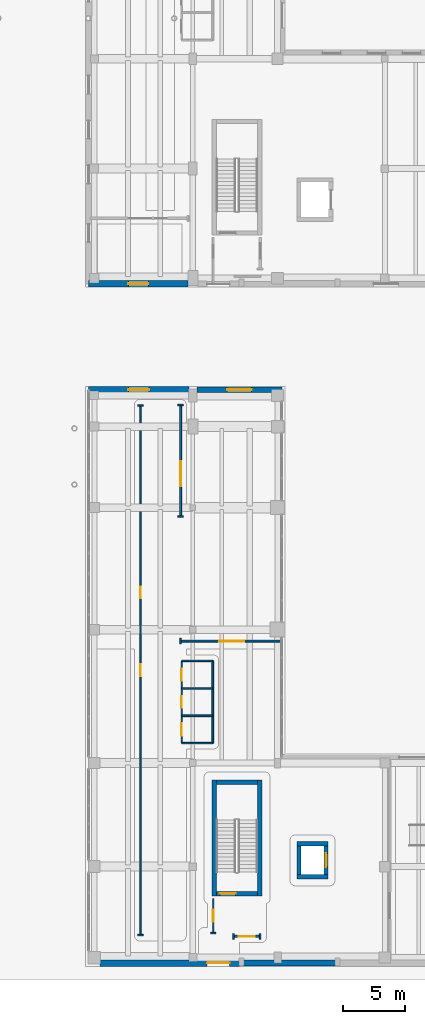
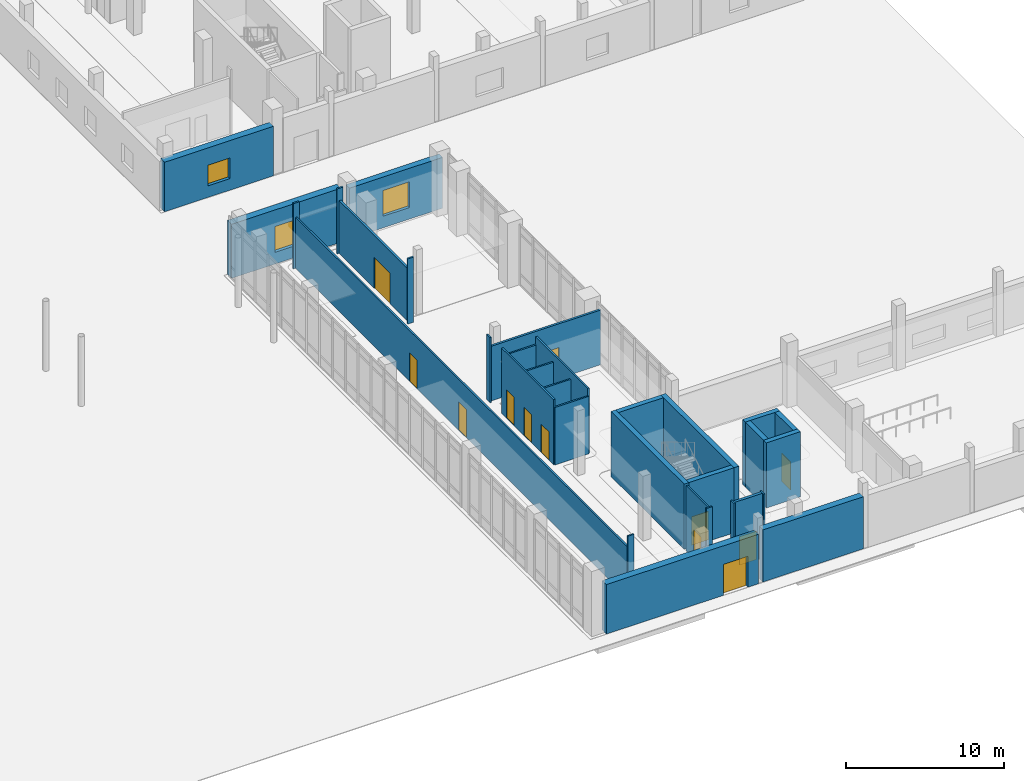
# One storey, part 46 of 74: 32 walls, 12 doors, 3 windows, 15 openings.
"""IFC4 building model written with IfcOpenShell, lengths in metres."""

import ifcopenshell
import ifcopenshell.guid

model = None  # the IFC model being written
_history = None  # IfcOwnerHistory: only IFC2X3 demands one
_inside = {}  # id of a spatial element -> (the spatial element, [elements in it])
_under = {}  # id of a project, library or spatial element -> (it, [spatial elements below it])
_declared = {}  # id of a project -> (the project, [libraries it declares])
_typed = {}  # id of a type object -> (the type object, [elements of that type])
_made_of = {}  # id of a material, layer set ... -> (it, [elements and type objects made of it])


def new_model(schema):
    """Start an empty IFC model of exactly this schema.

    Asked for "IFC4X3", IfcOpenShell would pick the latest addendum, in which some entities
    have other attributes; the version numbers below select the first issue.
    IFC2X3 requires an IfcOwnerHistory on every rooted entity: one is made here for all.
    """
    global model, _history
    if schema == "IFC4X3":
        model = ifcopenshell.file(schema_version=(4, 3, 0, 0))
    else:
        model = ifcopenshell.file(schema=schema)
    _inside.clear()
    _under.clear()
    _declared.clear()
    _typed.clear()
    _made_of.clear()
    _history = None
    if model.schema == "IFC2X3":
        org = make("IfcOrganization", Name="unknown")
        user = make(
            "IfcPersonAndOrganization",
            ThePerson=make("IfcPerson", FamilyName="unknown"),
            TheOrganization=org,
        )
        app = make(
            "IfcApplication",
            ApplicationDeveloper=org,
            Version="unknown",
            ApplicationFullName="unknown",
            ApplicationIdentifier="unknown",
        )
        _history = make(
            "IfcOwnerHistory",
            OwningUser=user,
            OwningApplication=app,
            ChangeAction="ADDED",
            CreationDate=0,
        )
    return model


def make(cls, **values):
    """One entity of the class cls with the attributes given. An attribute that is None is left unset."""
    return model.create_entity(
        cls, **{name: value for name, value in values.items() if value is not None}
    )


def rooted(cls, **values):
    """An entity with a GlobalId (a new one), such as an element, a storey or a relation."""
    return make(cls, GlobalId=ifcopenshell.guid.new(), OwnerHistory=_history, **values)


def si_unit(unit_type, name, prefix=None):
    """IfcSIUnit, for example si_unit("LENGTHUNIT", "METRE", prefix="MILLI")."""
    return make("IfcSIUnit", UnitType=unit_type, Prefix=prefix, Name=name)


def assignment(units):
    """IfcUnitAssignment: the units of a project."""
    return None if units is None else make("IfcUnitAssignment", Units=units)


def point(xyz):
    """IfcCartesianPoint."""
    return None if xyz is None else make("IfcCartesianPoint", Coordinates=xyz)


def direction(xyz):
    """IfcDirection."""
    return None if xyz is None else make("IfcDirection", DirectionRatios=xyz)


def frame(location, z_axis=None, x_axis=None):
    """IfcAxis2Placement3D, a coordinate frame: its origin and axes. An axis left out is left unset."""
    return make(
        "IfcAxis2Placement3D",
        Location=point(location),
        Axis=direction(z_axis),
        RefDirection=direction(x_axis),
    )


def frame_2d(location, x_axis=None):
    """IfcAxis2Placement2D, a coordinate frame in the plane: its origin and x axis."""
    return make(
        "IfcAxis2Placement2D", Location=point(location), RefDirection=direction(x_axis)
    )


def origin():
    """The frame at (0, 0, 0) with its axes left unset."""
    return frame((0.0, 0.0, 0.0))


def place(relative_to, where):
    """IfcLocalPlacement: puts the frame where relative to a parent placement (None: the world)."""
    return make(
        "IfcLocalPlacement", PlacementRelTo=relative_to, RelativePlacement=where
    )


def context(
    kind, dimensions, precision=None, world=None, true_north=None, identifier=None
):
    """IfcGeometricRepresentationContext, for example the 3D "Model" context."""
    return make(
        "IfcGeometricRepresentationContext",
        ContextIdentifier=identifier,
        ContextType=kind,
        CoordinateSpaceDimension=dimensions,
        Precision=precision,
        WorldCoordinateSystem=world,
        TrueNorth=true_north,
    )


def subcontext(parent, identifier, kind, view, scale=None):
    """IfcGeometricRepresentationSubContext, for example "Body" below "Model"."""
    return make(
        "IfcGeometricRepresentationSubContext",
        ContextIdentifier=identifier,
        ContextType=kind,
        ParentContext=parent,
        TargetScale=scale,
        TargetView=view,
    )


def project(units=None, contexts=None):
    """IfcProject with its units and contexts."""
    return rooted(
        "IfcProject",
        Name="project",
        RepresentationContexts=contexts,
        UnitsInContext=assignment(units),
    )


def spatial(cls, under=None, at=None, **own):
    """A site, building, storey or space (cls), placed at a placement, below another one or the project."""
    s = rooted(cls, ObjectPlacement=at, **own)
    if under is not None:
        _under.setdefault(under.id(), (under, []))[1].append(s)
    return s


def profile(cls, at=None, kind="AREA", **sizes):
    """A parametric profile (cls). Its sizes go by their IFC names, for example OverallWidth=200.0."""
    return make(cls, ProfileType=kind, Position=at, **sizes)


def rectangle(**sizes):
    """IfcRectangleProfileDef."""
    return profile("IfcRectangleProfileDef", **sizes)


def extrude(swept, where, along, depth):
    """IfcExtrudedAreaSolid: the profile swept, set in the frame where, extruded along a direction by depth."""
    return make(
        "IfcExtrudedAreaSolid",
        SweptArea=swept,
        Position=where,
        ExtrudedDirection=direction(along),
        Depth=depth,
    )


def shape(context_of_items, identifier, shape_type, items):
    """IfcShapeRepresentation: the items that make up one representation, for example the "Body"."""
    return make(
        "IfcShapeRepresentation",
        ContextOfItems=context_of_items,
        RepresentationIdentifier=identifier,
        RepresentationType=shape_type,
        Items=items,
    )


def material(Name=None, Category=None):
    """IfcMaterial."""
    return make("IfcMaterial", Name=Name, Category=Category)


def layer(
    of_material, thickness, ventilated=None, Name=None, Category=None, Priority=None
):
    """IfcMaterialLayer: one layer of a wall or slab, of a material (None: an air gap)."""
    return make(
        "IfcMaterialLayer",
        Material=of_material,
        LayerThickness=thickness,
        IsVentilated=ventilated,
        Name=Name,
        Category=Category,
        Priority=Priority,
    )


def layer_set(layers, Name=None):
    """IfcMaterialLayerSet."""
    return make("IfcMaterialLayerSet", MaterialLayers=layers, LayerSetName=Name)


def made_of(thing, what):
    """Note that an element or type object is made of a material, layer set ...; save() writes the relation."""
    if what is not None:
        _made_of.setdefault(what.id(), (what, []))[1].append(thing)
    return thing


def type_object(cls, material=None, **own):
    """A type object (cls), such as IfcWallType, which elements share."""
    return made_of(rooted(cls, **own), material)


def element(
    cls,
    number,
    at=None,
    inside=None,
    cuts=None,
    type_object=None,
    material=None,
    context=None,
    identifier="Body",
    shape_type=None,
    held_by="IfcProductDefinitionShape",
    body=None,
    shapes=None,
    **own,
):
    """One element of the class cls, such as IfcWall. Its Tag is "e" and its number.

    at: its placement. inside: the storey or other place that contains it. cuts: it is an
    opening in that element (IfcRelVoidsElement). A single representation is given by context,
    identifier, shape_type and body (its items); several are given by shapes. held_by: the class
    of the entity that holds the representations. save() writes the other relations.
    """
    e = rooted(cls, Tag="e%d" % number, ObjectPlacement=at, **own)
    if body is not None:
        shapes = [shape(context, identifier, shape_type, body)]
    if shapes is not None:
        e.Representation = make(held_by, Representations=shapes)
    if inside is not None:
        _inside.setdefault(inside.id(), (inside, []))[1].append(e)
    if cuts is not None:
        rooted(
            "IfcRelVoidsElement", RelatingBuildingElement=cuts, RelatedOpeningElement=e
        )
    if type_object is not None:
        _typed.setdefault(type_object.id(), (type_object, []))[1].append(e)
    return made_of(e, material)


def fill(opening, filler):
    """IfcRelFillsElement: the door or window that sits in an opening."""
    return rooted(
        "IfcRelFillsElement",
        RelatingOpeningElement=opening,
        RelatedBuildingElement=filler,
    )


def aggregate(whole, parts):
    """IfcRelAggregates: a whole, such as a stair, and the parts it consists of."""
    return rooted("IfcRelAggregates", RelatingObject=whole, RelatedObjects=parts)


def save(model, path):
    """Write the relations noted so far, then the file.

    IfcRelAggregates (storeys below a building ...), IfcRelContainedInSpatialStructure (elements
    in a storey), IfcRelDefinesByType, IfcRelAssociatesMaterial and IfcRelDeclares: one each for
    every whole, place, type object, material and project.
    """
    for whole, parts in _under.values():
        aggregate(whole, parts)
    for where, things in _inside.values():
        rooted(
            "IfcRelContainedInSpatialStructure",
            RelatedElements=things,
            RelatingStructure=where,
        )
    for kind, things in _typed.values():
        rooted("IfcRelDefinesByType", RelatedObjects=things, RelatingType=kind)
    for what, things in _made_of.values():
        rooted("IfcRelAssociatesMaterial", RelatedObjects=things, RelatingMaterial=what)
    for by, libraries in _declared.values():
        rooted("IfcRelDeclares", RelatingContext=by, RelatedDefinitions=libraries)
    model.write(path)


model = new_model("IFC4")

# Units and contexts
model_context = context("Model", 3, precision=1e-05, world=origin(), true_north=direction((0.0, 1.0)))
body_context = subcontext(model_context, "Body", "Model", "MODEL_VIEW")
ifc_project = project(units=[si_unit("LENGTHUNIT", "METRE"), si_unit("AREAUNIT", "SQUARE_METRE"), si_unit("VOLUMEUNIT", "CUBIC_METRE"), si_unit("PLANEANGLEUNIT", "RADIAN"), si_unit("MASSUNIT", "GRAM", prefix="KILO")], contexts=[model_context])

# Site, building, storey
site_placement = place(None, origin())
site = spatial("IfcSite", under=ifc_project, at=site_placement, CompositionType="ELEMENT")
building_placement = place(site_placement, origin())
building = spatial("IfcBuilding", under=site, at=building_placement, Name="Soyqirgoq Riverine Aquarium", CompositionType="ELEMENT")
storey_placement = place(building_placement, origin())
storey = spatial("IfcBuildingStorey", under=building, at=storey_placement, Name="L01", CompositionType="ELEMENT", Elevation=0.0)

# Walls
ifc_material_1 = material(Name="Concrete C40/50", Category="concrete")
ifc_layer_1 = layer(ifc_material_1, 0.35009765625)
ifc_layer_set_1 = layer_set([ifc_layer_1], Name="Concrete C40/50")
wall_type_1 = type_object("IfcWallType", Name="CoreShearWall_350_C40", PredefinedType="SHEAR", material=ifc_layer_set_1)
wall_1_placement = place(storey_placement, frame((127.97509765625, 7.14990234375, 0.0), z_axis=(0.0, 0.0, 1.0), x_axis=(0.0, 1.0, 0.0)))
element("IfcWall", 1, at=wall_1_placement, inside=storey, type_object=wall_type_1, Name="CORE-6 L01 Stair Core Shear Wall SIDE1", PredefinedType="SHEAR", context=body_context, shape_type="SweptSolid", body=[
    extrude(rectangle(XDim=9.300048828125, YDim=0.35009765625, at=frame_2d((4.64990234375, 0.0))), origin(), (0.0, 0.0, 1.0), 5.050048828125),
])
wall_2_placement = place(storey_placement, frame((127.800048828125, 16.27490234375, 0.0), z_axis=(0.0, 0.0, 1.0), x_axis=(-1.0, 0.0, 0.0)))
element("IfcWall", 2, at=wall_2_placement, inside=storey, type_object=wall_type_1, Name="CORE-6 L01 Stair Core Shear Wall BACK", PredefinedType="SHEAR", context=body_context, shape_type="SweptSolid", body=[
    extrude(rectangle(XDim=3.300048828125, YDim=0.35009765625, at=frame_2d((1.64990234375, 0.0))), origin(), (0.0, 0.0, 1.0), 5.050048828125),
])
wall_3_placement = place(storey_placement, frame((124.324951171875, 16.449951171875, 0.0), z_axis=(0.0, 0.0, 1.0), x_axis=(0.0, -1.0, 0.0)))
element("IfcWall", 3, at=wall_3_placement, inside=storey, type_object=wall_type_1, Name="CORE-6 L01 Stair Core Shear Wall SIDE2", PredefinedType="SHEAR", context=body_context, shape_type="SweptSolid", body=[
    extrude(rectangle(XDim=9.300048828125, YDim=0.35009765625, at=frame_2d((4.64990234375, 0.0))), origin(), (0.0, 0.0, 1.0), 5.050048828125),
])

# Wall, opening, door
wall_4_placement = place(storey_placement, frame((124.5, 7.324951171875, 0.0), z_axis=(0.0, 0.0, 1.0), x_axis=(1.0, 0.0, 0.0)))
wall_4 = element("IfcWall", 4, at=wall_4_placement, inside=storey, type_object=wall_type_1, Name="CORE-6 L01 Stair Core Shear Wall FRONT", PredefinedType="SHEAR", context=body_context, shape_type="SweptSolid", body=[
    extrude(rectangle(XDim=3.300048828125, YDim=0.35009765625, at=frame_2d((1.64990234375, 0.0))), origin(), (0.0, 0.0, 1.0), 5.050048828125),
])
opening_1_placement = place(wall_4_placement, frame((0.280029296875, 0.0, 0.0)))
opening_1 = element("IfcOpeningElement", 5, at=opening_1_placement, cuts=wall_4, Name="Opening FD-01", PredefinedType="OPENING", context=body_context, shape_type="SweptSolid", body=[
    extrude(rectangle(XDim=1.25, YDim=2.199951171875, at=frame_2d((0.625, 1.10009765625))), frame((0.0, 0.18505859375, 0.0), z_axis=(0.0, -1.0, 0.0), x_axis=(1.0, 0.0, 0.0)), (0.0, 0.0, 1.0), 0.3701171875),
])
ifc_material_2 = material(Name="Galvanised steel fire-resisting stair door", Category="steel")
door_type_1 = type_object("IfcDoorType", Name="StairFireDoor_1250x2200_EI90", OperationType="NOTDEFINED", PredefinedType="DOOR", material=ifc_material_2)
door_1_placement = place(opening_1_placement, origin())
door_1 = element("IfcDoor", 6, at=door_1_placement, inside=storey, type_object=door_type_1, Name="DR-ST-7-L01 ST-7 L01 Fire-Rated Stairwell Door", OperationType="SINGLE_SWING_RIGHT", OverallHeight=2.199951171875, OverallWidth=1.25, PredefinedType="DOOR", context=body_context, shape_type="SweptSolid", body=[
    extrude(rectangle(XDim=1.25, YDim=2.199951171875, at=frame_2d((0.625, 1.10009765625))), frame((0.0, 0.02490234375, 0.0), z_axis=(0.0, -1.0, 0.0), x_axis=(1.0, 0.0, 0.0)), (0.0, 0.0, 1.0), 0.050048828125),
])
fill(opening_1, door_1)

# Wall
wall_5_placement = place(storey_placement, frame((130.945068359375, 8.669921875, 0.0), z_axis=(0.0, 0.0, 1.0), x_axis=(1.0, 0.0, 0.0)))
element("IfcWall", 7, at=wall_5_placement, inside=storey, type_object=wall_type_1, Name="Lift PL-4 Shaft Wall L01 1", PredefinedType="SHEAR", context=body_context, shape_type="SweptSolid", body=[
    extrude(rectangle(XDim=2.510009765625, YDim=0.35009765625, at=frame_2d((1.2548828125, 0.0))), origin(), (0.0, 0.0, 1.0), 5.050048828125),
])

# Wall, opening, door
wall_6_placement = place(storey_placement, frame((133.280029296875, 8.844970703125, 0.0), z_axis=(0.0, 0.0, 1.0), x_axis=(0.0, 1.0, 0.0)))
wall_6 = element("IfcWall", 8, at=wall_6_placement, inside=storey, type_object=wall_type_1, Name="Lift PL-4 Shaft Wall L01 2", PredefinedType="SHEAR", context=body_context, shape_type="SweptSolid", body=[
    extrude(rectangle(XDim=2.31005859375, YDim=0.35009765625, at=frame_2d((1.155029296875, 0.0))), origin(), (0.0, 0.0, 1.0), 5.050048828125),
])
opening_2_placement = place(wall_6_placement, frame((0.60498046875, 0.0, 0.0)))
opening_2 = element("IfcOpeningElement", 9, at=opening_2_placement, cuts=wall_6, Name="Opening LD-01", PredefinedType="OPENING", context=body_context, shape_type="SweptSolid", body=[
    extrude(rectangle(XDim=1.10009765625, YDim=2.199951171875, at=frame_2d((0.550048828125, 1.10009765625))), frame((0.0, 0.18505859375, 0.0), z_axis=(0.0, -1.0, 0.0), x_axis=(1.0, 0.0, 0.0)), (0.0, 0.0, 1.0), 0.3701171875),
])
ifc_material_3 = material(Name="Brushed stainless steel telescopic lift landing door", Category="steel")
door_type_2 = type_object("IfcDoorType", Name="LiftLandingDoor_1100x2200", OperationType="SLIDING_TO_LEFT", PredefinedType="DOOR", material=ifc_material_3)
door_2_placement = place(opening_2_placement, origin())
door_2 = element("IfcDoor", 10, at=door_2_placement, inside=storey, type_object=door_type_2, Name="LD-PL-4-L01 Lift PL-4 L01 Sliding Landing Door", OperationType="SLIDING_TO_LEFT", OverallHeight=2.199951171875, OverallWidth=1.10009765625, PredefinedType="DOOR", context=body_context, shape_type="SweptSolid", body=[
    extrude(rectangle(XDim=1.10009765625, YDim=2.199951171875, at=frame_2d((0.550048828125, 1.10009765625))), frame((0.0, 0.02490234375, 0.0), z_axis=(0.0, -1.0, 0.0), x_axis=(1.0, 0.0, 0.0)), (0.0, 0.0, 1.0), 0.050048828125),
])
fill(opening_2, door_2)

# Walls
wall_7_placement = place(storey_placement, frame((133.455078125, 11.330078125, 0.0), z_axis=(0.0, 0.0, 1.0), x_axis=(-1.0, 0.0, 0.0)))
element("IfcWall", 11, at=wall_7_placement, inside=storey, type_object=wall_type_1, Name="Lift PL-4 Shaft Wall L01 3", PredefinedType="SHEAR", context=body_context, shape_type="SweptSolid", body=[
    extrude(rectangle(XDim=2.510009765625, YDim=0.35009765625, at=frame_2d((1.2548828125, 0.0))), origin(), (0.0, 0.0, 1.0), 5.050048828125),
])
wall_8_placement = place(storey_placement, frame((131.1201171875, 11.155029296875, 0.0), z_axis=(0.0, 0.0, 1.0), x_axis=(0.0, -1.0, 0.0)))
element("IfcWall", 12, at=wall_8_placement, inside=storey, type_object=wall_type_1, Name="Lift PL-4 Shaft Wall L01 4", PredefinedType="SHEAR", context=body_context, shape_type="SweptSolid", body=[
    extrude(rectangle(XDim=2.31005859375, YDim=0.35009765625, at=frame_2d((1.155029296875, 0.0))), origin(), (0.0, 0.0, 1.0), 5.050048828125),
])

# Wall, openings, doors
ifc_material_4 = material(Name="Lightweight steel-stud gypsum partition", Category="steel")
ifc_layer_2 = layer(ifc_material_4, 0.1201171875)
ifc_layer_set_2 = layer_set([ifc_layer_2], Name="Lightweight steel-stud gypsum partition")
wall_type_2 = type_object("IfcWallType", Name="PartitionWall_120_Std", PredefinedType="PARTITIONING", material=ifc_layer_set_2)
wall_9_placement = place(storey_placement, frame((118.39990234375, 46.5, 0.0), z_axis=(0.0, 0.0, 1.0), x_axis=(0.0, -1.0, 0.0)))
wall_9 = element("IfcWall", 13, at=wall_9_placement, inside=storey, type_object=wall_type_2, Name="Education Foyer Corridor Partition Wall", PredefinedType="PARTITIONING", context=body_context, shape_type="SweptSolid", body=[
    extrude(rectangle(XDim=42.5, YDim=0.1201171875, at=frame_2d((21.25, 0.0))), origin(), (0.0, 0.0, 1.0), 3.93994140625),
])
opening_3_placement = place(wall_9_placement, frame((20.75, 0.0, 0.0)))
opening_3 = element("IfcOpeningElement", 14, at=opening_3_placement, cuts=wall_9, Name="Opening ID-03", PredefinedType="OPENING", context=body_context, shape_type="SweptSolid", body=[
    extrude(rectangle(XDim=1.0, YDim=2.199951171875, at=frame_2d((0.5, 1.10009765625))), frame((0.0, 0.070068359375, 0.0), z_axis=(0.0, -1.0, 0.0), x_axis=(1.0, 0.0, 0.0)), (0.0, 0.0, 1.0), 0.14013671875),
])
opening_4_placement = place(wall_9_placement, frame((14.54248046875, 0.0, 0.0)))
opening_4 = element("IfcOpeningElement", 15, at=opening_4_placement, cuts=wall_9, Name="Opening ID-06", PredefinedType="OPENING", context=body_context, shape_type="SweptSolid", body=[
    extrude(rectangle(XDim=0.949951171875, YDim=2.199951171875, at=frame_2d((0.47509765625, 1.10009765625))), frame((0.0, 0.070068359375, 0.0), z_axis=(0.0, -1.0, 0.0), x_axis=(1.0, 0.0, 0.0)), (0.0, 0.0, 1.0), 0.14013671875),
])
ifc_material_5 = material(Name="Solid-core ash veneer room door", Category="wood")
door_type_3 = type_object("IfcDoorType", Name="RoomDoor_1000x2200", OperationType="NOTDEFINED", PredefinedType="DOOR", material=ifc_material_5)
door_3_placement = place(opening_3_placement, origin())
door_3 = element("IfcDoor", 16, at=door_3_placement, inside=storey, type_object=door_type_3, Name="IDR-V6-L01-0183 Education Foyer Corridor Door", OperationType="SINGLE_SWING_LEFT", OverallHeight=2.199951171875, OverallWidth=1.0, PredefinedType="DOOR", context=body_context, shape_type="SweptSolid", body=[
    extrude(rectangle(XDim=1.0, YDim=2.199951171875, at=frame_2d((0.5, 1.10009765625))), frame((0.0, 0.02490234375, 0.0), z_axis=(0.0, -1.0, 0.0), x_axis=(1.0, 0.0, 0.0)), (0.0, 0.0, 1.0), 0.050048828125),
])
fill(opening_3, door_3)
ifc_material_6 = material(Name="Moisture-resistant HPL washroom door", Category="wood")
door_type_4 = type_object("IfcDoorType", Name="WCDoor_950x2200", OperationType="NOTDEFINED", PredefinedType="DOOR", material=ifc_material_6)
door_4_placement = place(opening_4_placement, origin())
door_4 = element("IfcDoor", 17, at=door_4_placement, inside=storey, type_object=door_type_4, Name="IDR-V6-L01-0187 School Group Orientation Hall Access Door", OperationType="SINGLE_SWING_LEFT", OverallHeight=2.199951171875, OverallWidth=0.949951171875, PredefinedType="DOOR", context=body_context, shape_type="SweptSolid", body=[
    extrude(rectangle(XDim=0.949951171875, YDim=2.199951171875, at=frame_2d((0.47509765625, 1.10009765625))), frame((0.0, 0.02490234375, 0.0), z_axis=(0.0, -1.0, 0.0), x_axis=(1.0, 0.0, 0.0)), (0.0, 0.0, 1.0), 0.050048828125),
])
fill(opening_4, door_4)

# Wall, opening, door
wall_10_placement = place(storey_placement, frame((124.239990234375, 4.159912109375, 0.0), z_axis=(0.0, 0.0, 1.0), x_axis=(0.0, 1.0, 0.0)))
wall_10 = element("IfcWall", 18, at=wall_10_placement, inside=storey, type_object=wall_type_2, Name="Audio-Visual Control Room Partition Wall", PredefinedType="PARTITIONING", context=body_context, shape_type="SweptSolid", body=[
    extrude(rectangle(XDim=2.7900390625, YDim=0.1201171875, at=frame_2d((1.39501953125, 0.0))), origin(), (0.0, 0.0, 1.0), 5.050048828125),
])
opening_5_placement = place(wall_10_placement, frame((0.89501953125, 0.0, 0.0)))
opening_5 = element("IfcOpeningElement", 19, at=opening_5_placement, cuts=wall_10, Name="Opening ID-03", PredefinedType="OPENING", context=body_context, shape_type="SweptSolid", body=[
    extrude(rectangle(XDim=1.0, YDim=2.199951171875, at=frame_2d((0.5, 1.10009765625))), frame((0.0, 0.070068359375, 0.0), z_axis=(0.0, -1.0, 0.0), x_axis=(1.0, 0.0, 0.0)), (0.0, 0.0, 1.0), 0.14013671875),
])
door_5_placement = place(opening_5_placement, origin())
door_5 = element("IfcDoor", 20, at=door_5_placement, inside=storey, type_object=door_type_3, Name="IDR-V6-L01-0186 Audio-Visual Control Room Door", OperationType="SINGLE_SWING_RIGHT", OverallHeight=2.199951171875, OverallWidth=1.0, PredefinedType="DOOR", context=body_context, shape_type="SweptSolid", body=[
    extrude(rectangle(XDim=1.0, YDim=2.199951171875, at=frame_2d((0.5, 1.10009765625))), frame((0.0, 0.02490234375, 0.0), z_axis=(0.0, -1.0, 0.0), x_axis=(1.0, 0.0, 0.0)), (0.0, 0.0, 1.0), 0.050048828125),
])
fill(opening_5, door_5)

# Walls
for number, where, z_axis, x_axis, name in (
    (21, (125.85009765625, 3.679931640625, 0.0), (0.0, 0.0, 1.0), (0.0, 1.0, 0.0), "V6 L01 Jamb Return Pier"),
    (22, (128.0, 3.679931640625, 0.0), (0.0, 0.0, 1.0), (0.0, 1.0, 0.0), "V6 L01 Jamb Return Pier"),
    (23, (118.179931640625, 46.5, 0.0), (0.0, 0.0, 1.0), (1.0, 0.0, 0.0), "V6 L01 Jamb Return Pier"),
    (24, (118.179931640625, 4.0, 0.0), (0.0, 0.0, 1.0), (1.0, 0.0, 0.0), "V6 L01 Jamb Return Pier"),
    (25, (121.409912109375, 46.530029296875, 0.0), (0.0, 0.0, 1.0), (1.0, 0.0, 0.0), "V6 L01 Jamb Return Pier"),
    (26, (121.409912109375, 37.580078125, 0.0), (0.0, 0.0, 1.0), (1.0, 0.0, 0.0), "V6 L01 Jamb Return Pier"),
):
    element("IfcWall", number, at=place(storey_placement, frame(where, z_axis=z_axis, x_axis=x_axis)), inside=storey, type_object=wall_type_2, Name=name, PredefinedType="PARTITIONING", context=body_context, shape_type="SweptSolid", body=[
        extrude(rectangle(XDim=0.440185546875, YDim=0.1201171875, at=frame_2d((0.22021484375, 0.0))), origin(), (0.0, 0.0, 1.0), 5.050048828125),
    ])
for number, where, z_axis, x_axis, name in (
    (27, (121.6298828125, 27.360107421875, 0.0), (0.0, 0.0, 1.0), (0.0, 1.0, 0.0), "V6 L01 Jamb Return Pier"),
    (28, (124.4599609375, 4.159912109375, 0.0), (0.0, 0.0, 1.0), (-1.0, 0.0, 0.0), "V6 L01 Jamb Return Pier"),
):
    element("IfcWall", number, at=place(storey_placement, frame(where, z_axis=z_axis, x_axis=x_axis)), inside=storey, type_object=wall_type_2, Name=name, PredefinedType="PARTITIONING", context=body_context, shape_type="SweptSolid", body=[
        extrude(rectangle(XDim=0.43994140625, YDim=0.1201171875, at=frame_2d((0.219970703125, 0.0))), origin(), (0.0, 0.0, 1.0), 5.050048828125),
    ])

# Wall, openings, doors
ifc_material_7 = material(Name="Moisture-resistant cement-board wet-room partition", Category="gypsum")
ifc_layer_3 = layer(ifc_material_7, 0.125)
ifc_layer_set_3 = layer_set([ifc_layer_3], Name="Moisture-resistant cement-board wet-room partition")
wall_type_3 = type_object("IfcWallType", Name="PartitionWall_125_Wet", PredefinedType="PARTITIONING", material=ifc_layer_set_3)
wall_11_placement = place(storey_placement, frame((121.699951171875, 19.39990234375, 0.0), z_axis=(0.0, 0.0, 1.0), x_axis=(0.0, 1.0, 0.0)))
wall_11 = element("IfcWall", 29, at=wall_11_placement, inside=storey, type_object=wall_type_3, Name="V6 L01 WC Suite Front Wall", PredefinedType="PARTITIONING", context=body_context, shape_type="SweptSolid", body=[
    extrude(rectangle(XDim=6.60009765625, YDim=0.125, at=frame_2d((3.300048828125, 0.0))), origin(), (0.0, 0.0, 1.0), 5.050048828125),
])
opening_6_placement = place(wall_11_placement, frame((0.60009765625, 0.0, 0.0)))
opening_6 = element("IfcOpeningElement", 30, at=opening_6_placement, cuts=wall_11, Name="Opening ID-05", PredefinedType="OPENING", context=body_context, shape_type="SweptSolid", body=[
    extrude(rectangle(XDim=1.0, YDim=2.199951171875, at=frame_2d((0.5, 1.10009765625))), frame((0.0, 0.072509765625, 0.0), z_axis=(0.0, -1.0, 0.0), x_axis=(1.0, 0.0, 0.0)), (0.0, 0.0, 1.0), 0.14501953125),
])
opening_7_placement = place(wall_11_placement, frame((2.824951171875, 0.0, 0.0)))
opening_7 = element("IfcOpeningElement", 31, at=opening_7_placement, cuts=wall_11, Name="Opening ID-06", PredefinedType="OPENING", context=body_context, shape_type="SweptSolid", body=[
    extrude(rectangle(XDim=0.949951171875, YDim=2.199951171875, at=frame_2d((0.47509765625, 1.10009765625))), frame((0.0, 0.072509765625, 0.0), z_axis=(0.0, -1.0, 0.0), x_axis=(1.0, 0.0, 0.0)), (0.0, 0.0, 1.0), 0.14501953125),
])
opening_8_placement = place(wall_11_placement, frame((5.02490234375, 0.0, 0.0)))
opening_8 = element("IfcOpeningElement", 32, at=opening_8_placement, cuts=wall_11, Name="Opening ID-06", PredefinedType="OPENING", context=body_context, shape_type="SweptSolid", body=[
    extrude(rectangle(XDim=0.949951171875, YDim=2.199951171875, at=frame_2d((0.47509765625, 1.10009765625))), frame((0.0, 0.072509765625, 0.0), z_axis=(0.0, -1.0, 0.0), x_axis=(1.0, 0.0, 0.0)), (0.0, 0.0, 1.0), 0.14501953125),
])
ifc_material_8 = material(Name="Moisture-resistant HPL accessible washroom door", Category="wood")
door_type_5 = type_object("IfcDoorType", Name="AccessibleWCDoor_1000x2200", OperationType="NOTDEFINED", PredefinedType="DOOR", material=ifc_material_8)
door_6_placement = place(opening_6_placement, origin())
door_6 = element("IfcDoor", 33, at=door_6_placement, inside=storey, type_object=door_type_5, Name="IDR-V6-L01-0178 Accessible WC Door", OperationType="SINGLE_SWING_RIGHT", OverallHeight=2.199951171875, OverallWidth=1.0, PredefinedType="DOOR", context=body_context, shape_type="SweptSolid", body=[
    extrude(rectangle(XDim=1.0, YDim=2.199951171875, at=frame_2d((0.5, 1.10009765625))), frame((0.0, 0.02490234375, 0.0), z_axis=(0.0, -1.0, 0.0), x_axis=(1.0, 0.0, 0.0)), (0.0, 0.0, 1.0), 0.050048828125),
])
fill(opening_6, door_6)
door_7_placement = place(opening_7_placement, origin())
door_7 = element("IfcDoor", 34, at=door_7_placement, inside=storey, type_object=door_type_4, Name="IDR-V6-L01-0179 Public Female WC Door", OperationType="SINGLE_SWING_LEFT", OverallHeight=2.199951171875, OverallWidth=0.949951171875, PredefinedType="DOOR", context=body_context, shape_type="SweptSolid", body=[
    extrude(rectangle(XDim=0.949951171875, YDim=2.199951171875, at=frame_2d((0.47509765625, 1.10009765625))), frame((0.0, 0.02490234375, 0.0), z_axis=(0.0, -1.0, 0.0), x_axis=(1.0, 0.0, 0.0)), (0.0, 0.0, 1.0), 0.050048828125),
])
fill(opening_7, door_7)
door_8_placement = place(opening_8_placement, origin())
door_8 = element("IfcDoor", 35, at=door_8_placement, inside=storey, type_object=door_type_4, Name="IDR-V6-L01-0180 Public Male WC Door", OperationType="SINGLE_SWING_RIGHT", OverallHeight=2.199951171875, OverallWidth=0.949951171875, PredefinedType="DOOR", context=body_context, shape_type="SweptSolid", body=[
    extrude(rectangle(XDim=0.949951171875, YDim=2.199951171875, at=frame_2d((0.47509765625, 1.10009765625))), frame((0.0, 0.02490234375, 0.0), z_axis=(0.0, -1.0, 0.0), x_axis=(1.0, 0.0, 0.0)), (0.0, 0.0, 1.0), 0.050048828125),
])
fill(opening_8, door_8)

# Walls
wall_12_placement = place(storey_placement, frame((124.199951171875, 19.39990234375, 0.0), z_axis=(0.0, 0.0, 1.0), x_axis=(0.0, 1.0, 0.0)))
element("IfcWall", 36, at=wall_12_placement, inside=storey, type_object=wall_type_3, Name="V6 L01 WC Suite Back Wall", PredefinedType="PARTITIONING", context=body_context, shape_type="SweptSolid", body=[
    extrude(rectangle(XDim=6.60009765625, YDim=0.125, at=frame_2d((3.300048828125, 0.0))), origin(), (0.0, 0.0, 1.0), 5.050048828125),
])
for number, where, z_axis, x_axis, name in (
    (37, (121.699951171875, 19.39990234375, 0.0), (0.0, 0.0, 1.0), (1.0, 0.0, 0.0), "V6 L01 WC Suite South Wall"),
    (38, (121.699951171875, 26.0, 0.0), (0.0, 0.0, 1.0), (1.0, 0.0, 0.0), "V6 L01 WC Suite North Wall"),
    (39, (121.699951171875, 21.60009765625, 0.0), (0.0, 0.0, 1.0), (1.0, 0.0, 0.0), "V6 L01 WC Cubicle Divider 1"),
    (40, (121.699951171875, 23.800048828125, 0.0), (0.0, 0.0, 1.0), (1.0, 0.0, 0.0), "V6 L01 WC Cubicle Divider 2"),
):
    element("IfcWall", number, at=place(storey_placement, frame(where, z_axis=z_axis, x_axis=x_axis)), inside=storey, type_object=wall_type_3, Name=name, PredefinedType="PARTITIONING", context=body_context, shape_type="SweptSolid", body=[
        extrude(rectangle(XDim=2.5, YDim=0.125, at=frame_2d((1.25, 0.0))), origin(), (0.0, 0.0, 1.0), 4.449951171875),
    ])

# Wall, opening, door
ifc_material_9 = material(Name="Fire-rated acoustic gypsum stud partition", Category="gypsum")
ifc_layer_4 = layer(ifc_material_9, 0.159912109375)
ifc_layer_set_4 = layer_set([ifc_layer_4], Name="Fire-rated acoustic gypsum stud partition")
wall_type_4 = type_object("IfcWallType", Name="PartitionWall_160_EI60", PredefinedType="PARTITIONING", material=ifc_layer_set_4)
wall_13_placement = place(storey_placement, frame((121.6298828125, 46.530029296875, 0.0), z_axis=(0.0, 0.0, 1.0), x_axis=(0.0, -1.0, 0.0)))
wall_13 = element("IfcWall", 41, at=wall_13_placement, inside=storey, type_object=wall_type_4, Name="Education Centre Classroom Partition Wall", PredefinedType="PARTITIONING", context=body_context, shape_type="SweptSolid", body=[
    extrude(rectangle(XDim=8.949951171875, YDim=0.159912109375, at=frame_2d((4.47509765625, 0.0))), origin(), (0.0, 0.0, 1.0), 4.090087890625),
])
opening_9_placement = place(wall_13_placement, frame((4.517578125, 0.0, 0.0)))
opening_9 = element("IfcOpeningElement", 42, at=opening_9_placement, cuts=wall_13, Name="Opening ID-02", PredefinedType="OPENING", context=body_context, shape_type="SweptSolid", body=[
    extrude(rectangle(XDim=2.0, YDim=2.39990234375, at=frame_2d((1.0, 1.199951171875))), frame((0.0, 0.08984375, 0.0), z_axis=(0.0, -1.0, 0.0), x_axis=(1.0, 0.0, 0.0)), (0.0, 0.0, 1.0), 0.179931640625),
])
ifc_material_10 = material(Name="Acoustic solid oak auditorium double door", Category="wood")
door_type_6 = type_object("IfcDoorType", Name="AuditoriumDoubleDoor_2000x2400", OperationType="DOUBLE_DOOR_DOUBLE_SWING", PredefinedType="DOOR", material=ifc_material_10)
door_9_placement = place(opening_9_placement, origin())
door_9 = element("IfcDoor", 43, at=door_9_placement, inside=storey, type_object=door_type_6, Name="IDR-V6-L01-0184 Education Centre Classroom Door", OperationType="DOUBLE_DOOR_DOUBLE_SWING", OverallHeight=2.39990234375, OverallWidth=2.0, PredefinedType="DOOR", context=body_context, shape_type="SweptSolid", body=[
    extrude(rectangle(XDim=2.0, YDim=2.39990234375, at=frame_2d((1.0, 1.199951171875))), frame((0.0, 0.02490234375, 0.0), z_axis=(0.0, -1.0, 0.0), x_axis=(1.0, 0.0, 0.0)), (0.0, 0.0, 1.0), 0.050048828125),
])
fill(opening_9, door_9)

wall_14_placement = place(storey_placement, frame((121.6298828125, 27.580078125, 0.0), z_axis=(0.0, 0.0, 1.0), x_axis=(1.0, 0.0, 0.0)))
wall_14 = element("IfcWall", 44, at=wall_14_placement, inside=storey, type_object=wall_type_4, Name="Discovery Classroom Partition Wall", PredefinedType="PARTITIONING", context=body_context, shape_type="SweptSolid", body=[
    extrude(rectangle(XDim=8.170166015625, YDim=0.159912109375, at=frame_2d((4.0849609375, 0.0))), origin(), (0.0, 0.0, 1.0), 4.239990234375),
])
opening_10_placement = place(wall_14_placement, frame((3.0849609375, 0.0, 0.0)))
opening_10 = element("IfcOpeningElement", 45, at=opening_10_placement, cuts=wall_14, Name="Opening ID-02", PredefinedType="OPENING", context=body_context, shape_type="SweptSolid", body=[
    extrude(rectangle(XDim=2.0, YDim=2.39990234375, at=frame_2d((1.0, 1.199951171875))), frame((0.0, 0.08984375, 0.0), z_axis=(0.0, -1.0, 0.0), x_axis=(1.0, 0.0, 0.0)), (0.0, 0.0, 1.0), 0.179931640625),
])
door_10_placement = place(opening_10_placement, origin())
door_10 = element("IfcDoor", 46, at=door_10_placement, inside=storey, type_object=door_type_6, Name="IDR-V6-L01-0185 Discovery Classroom Door", OperationType="DOUBLE_DOOR_DOUBLE_SWING", OverallHeight=2.39990234375, OverallWidth=2.0, PredefinedType="DOOR", context=body_context, shape_type="SweptSolid", body=[
    extrude(rectangle(XDim=2.0, YDim=2.39990234375, at=frame_2d((1.0, 1.199951171875))), frame((0.0, 0.02490234375, 0.0), z_axis=(0.0, -1.0, 0.0), x_axis=(1.0, 0.0, 0.0)), (0.0, 0.0, 1.0), 0.050048828125),
])
fill(opening_10, door_10)

ifc_material_11 = material(Name="Fire-rated calcium silicate twin-stud partition", Category="gypsum")
ifc_layer_5 = layer(ifc_material_11, 0.199951171875)
ifc_layer_set_5 = layer_set([ifc_layer_5], Name="Fire-rated calcium silicate twin-stud partition")
wall_type_5 = type_object("IfcWallType", Name="PartitionWall_200_EI90", PredefinedType="PARTITIONING", material=ifc_layer_set_5)
wall_15_placement = place(storey_placement, frame((125.85009765625, 3.89990234375, 0.0), z_axis=(0.0, 0.0, 1.0), x_axis=(1.0, 0.0, 0.0)))
wall_15 = element("IfcWall", 47, at=wall_15_placement, inside=storey, type_object=wall_type_5, Name="Lift and Stair Lobby ST-7 and Protected Exit Passageway Fire Enclosure Wall", PredefinedType="PARTITIONING", context=body_context, shape_type="SweptSolid", body=[
    extrude(rectangle(XDim=2.14990234375, YDim=0.199951171875, at=frame_2d((1.074951171875, 0.0))), origin(), (0.0, 0.0, 1.0), 5.050048828125),
])
opening_11_placement = place(wall_15_placement, frame((0.449951171875, 0.0, 0.0)))
opening_11 = element("IfcOpeningElement", 48, at=opening_11_placement, cuts=wall_15, Name="Opening FD-01", PredefinedType="OPENING", context=body_context, shape_type="SweptSolid", body=[
    extrude(rectangle(XDim=1.25, YDim=2.199951171875, at=frame_2d((0.625, 1.10009765625))), frame((0.0, 0.10986328125, 0.0), z_axis=(0.0, -1.0, 0.0), x_axis=(1.0, 0.0, 0.0)), (0.0, 0.0, 1.0), 0.219970703125),
])
door_11_placement = place(opening_11_placement, origin())
door_11 = element("IfcDoor", 49, at=door_11_placement, inside=storey, type_object=door_type_1, Name="IDR-V6-L01-0181 Lift and Stair Lobby ST-7 and Protected Exit Passageway Egress Fire Door", OperationType="SINGLE_SWING_LEFT", OverallHeight=2.199951171875, OverallWidth=1.25, PredefinedType="DOOR", context=body_context, shape_type="SweptSolid", body=[
    extrude(rectangle(XDim=1.25, YDim=2.199951171875, at=frame_2d((0.625, 1.10009765625))), frame((0.0, 0.02490234375, 0.0), z_axis=(0.0, -1.0, 0.0), x_axis=(1.0, 0.0, 0.0)), (0.0, 0.0, 1.0), 0.050048828125),
])
fill(opening_11, door_11)

# Wall, opening, window
ifc_material_12 = material(Name="Honed travertine limestone cavity wall", Category="masonry")
ifc_layer_6 = layer(ifc_material_12, 0.449951171875)
ifc_layer_set_6 = layer_set([ifc_layer_6], Name="Honed travertine limestone cavity wall")
wall_type_6 = type_object("IfcWallType", Name="TravertineCavityWall_450", PredefinedType="SOLIDWALL", material=ifc_layer_set_6)
wall_16_placement = place(storey_placement, frame((122.919921875, 47.75, 0.0), z_axis=(0.0, 0.0, 1.0), x_axis=(1.0, 0.0, 0.0)))
wall_16 = element("IfcWall", 50, at=wall_16_placement, inside=storey, type_object=wall_type_6, Name="V6 L01 Exterior Travertine Wall 0343", PredefinedType="SOLIDWALL", context=body_context, shape_type="SweptSolid", body=[
    extrude(rectangle(XDim=6.830078125, YDim=0.449951171875, at=frame_2d((3.4150390625, 0.0))), origin(), (0.0, 0.0, 1.0), 3.93994140625),
])
opening_12_placement = place(wall_16_placement, frame((2.43994140625, 0.0, 0.89990234375)))
opening_12 = element("IfcOpeningElement", 51, at=opening_12_placement, cuts=wall_16, Name="Opening WN-14", PredefinedType="OPENING", context=body_context, shape_type="SweptSolid", body=[
    extrude(rectangle(XDim=1.949951171875, YDim=2.0, at=frame_2d((0.97509765625, 1.0))), frame((0.0, 0.23486328125, 0.0), z_axis=(0.0, -1.0, 0.0), x_axis=(1.0, 0.0, 0.0)), (0.0, 0.0, 1.0), 0.469970703125),
])
ifc_material_13 = material(Name="Thermally broken aluminium triple low-E window", Category="aluminium")
window_type_1 = type_object("IfcWindowType", Name="Win_Gallery_1950x2000", PartitioningType="DOUBLE_PANEL_VERTICAL", PredefinedType="WINDOW", material=ifc_material_13)
window_1_placement = place(opening_12_placement, origin())
window_1 = element("IfcWindow", 52, at=window_1_placement, inside=storey, type_object=window_type_1, Name="V6 L01 Facade Window 0276", OverallHeight=2.0, OverallWidth=1.949951171875, PartitioningType="DOUBLE_PANEL_VERTICAL", PredefinedType="WINDOW", context=body_context, shape_type="SweptSolid", body=[
    extrude(rectangle(XDim=1.949951171875, YDim=2.0, at=frame_2d((0.97509765625, 1.0))), frame((0.0, 0.030029296875, 0.0), z_axis=(0.0, -1.0, 0.0), x_axis=(1.0, 0.0, 0.0)), (0.0, 0.0, 1.0), 0.06005859375),
])
fill(opening_12, window_1)

# Wall
ifc_material_14 = material(Name="Honed travertine limestone cavity wall", Category="masonry")
ifc_layer_7 = layer(ifc_material_14, 0.47998046875)
ifc_layer_set_7 = layer_set([ifc_layer_7], Name="Honed travertine limestone cavity wall")
wall_type_7 = type_object("IfcWallType", Name="TravertineCavityWall_480", PredefinedType="SOLIDWALL", material=ifc_layer_set_7)
wall_17_placement = place(storey_placement, frame((134.030029296875, 1.75, 0.0), z_axis=(0.0, 0.0, 1.0), x_axis=(-1.0, 0.0, 0.0)))
element("IfcWall", 53, at=wall_17_placement, inside=storey, type_object=wall_type_7, Name="V6 L01 Exterior Travertine Wall 0348", PredefinedType="SOLIDWALL", context=body_context, shape_type="SweptSolid", body=[
    extrude(rectangle(XDim=7.360107421875, YDim=0.47998046875, at=frame_2d((3.68017578125, 0.0))), origin(), (0.0, 0.0, 1.0), 4.0400390625),
])

# Wall, opening, window
ifc_material_15 = material(Name="Honed travertine limestone cavity wall", Category="masonry")
ifc_layer_8 = layer(ifc_material_15, 0.5)
ifc_layer_set_8 = layer_set([ifc_layer_8], Name="Honed travertine limestone cavity wall")
wall_type_8 = type_object("IfcWallType", Name="TravertineCavityWall_500", PredefinedType="SOLIDWALL", material=ifc_layer_set_8)
wall_18_placement = place(storey_placement, frame((122.22998046875, 56.25, 0.0), z_axis=(0.0, 0.0, 1.0), x_axis=(-1.0, 0.0, 0.0)))
wall_18 = element("IfcWall", 54, at=wall_18_placement, inside=storey, type_object=wall_type_8, Name="V7 L01 Exterior Travertine Wall 0381", PredefinedType="SOLIDWALL", context=body_context, shape_type="SweptSolid", body=[
    extrude(rectangle(XDim=7.97998046875, YDim=0.5, at=frame_2d((3.989990234375, 0.0))), origin(), (0.0, 0.0, 1.0), 3.840087890625),
])
opening_13_placement = place(wall_18_placement, frame((3.18994140625, 0.0, 0.89990234375)))
opening_13 = element("IfcOpeningElement", 55, at=opening_13_placement, cuts=wall_18, Name="Opening WN-06", PredefinedType="OPENING", context=body_context, shape_type="SweptSolid", body=[
    extrude(rectangle(XDim=1.60009765625, YDim=1.60009765625, at=frame_2d((0.800048828125, 0.800048828125))), frame((0.0, 0.260009765625, 0.0), z_axis=(0.0, -1.0, 0.0), x_axis=(1.0, 0.0, 0.0)), (0.0, 0.0, 1.0), 0.52001953125),
])
ifc_material_16 = material(Name="Thermally broken aluminium triple low-E window", Category="aluminium")
window_type_2 = type_object("IfcWindowType", Name="Win_Lab_1600x1600", PartitioningType="DOUBLE_PANEL_VERTICAL", PredefinedType="WINDOW", material=ifc_material_16)
window_2_placement = place(opening_13_placement, origin())
window_2 = element("IfcWindow", 56, at=window_2_placement, inside=storey, type_object=window_type_2, Name="V7 L01 Facade Window 0331", OverallHeight=1.60009765625, OverallWidth=1.60009765625, PartitioningType="DOUBLE_PANEL_VERTICAL", PredefinedType="WINDOW", context=body_context, shape_type="SweptSolid", body=[
    extrude(rectangle(XDim=1.60009765625, YDim=1.60009765625, at=frame_2d((0.800048828125, 0.800048828125))), frame((0.0, 0.030029296875, 0.0), z_axis=(0.0, -1.0, 0.0), x_axis=(1.0, 0.0, 0.0)), (0.0, 0.0, 1.0), 0.06005859375),
])
fill(opening_13, window_2)

ifc_material_17 = material(Name="Honed travertine limestone cavity wall", Category="masonry")
ifc_layer_9 = layer(ifc_material_17, 0.52001953125)
ifc_layer_set_9 = layer_set([ifc_layer_9], Name="Honed travertine limestone cavity wall")
wall_type_9 = type_object("IfcWallType", Name="TravertineCavityWall_520", PredefinedType="SOLIDWALL", material=ifc_layer_set_9)
wall_19_placement = place(storey_placement, frame((114.25, 47.75, 0.0), z_axis=(0.0, 0.0, 1.0), x_axis=(1.0, 0.0, 0.0)))
wall_19 = element("IfcWall", 57, at=wall_19_placement, inside=storey, type_object=wall_type_9, Name="V6 L01 Exterior Travertine Wall 0342", PredefinedType="SOLIDWALL", context=body_context, shape_type="SweptSolid", body=[
    extrude(rectangle(XDim=8.030029296875, YDim=0.52001953125, at=frame_2d((4.01513671875, 0.0))), origin(), (0.0, 0.0, 1.0), 4.18994140625),
])
opening_14_placement = place(wall_19_placement, frame((3.18994140625, 0.0, 0.89990234375)))
opening_14 = element("IfcOpeningElement", 58, at=opening_14_placement, cuts=wall_19, Name="Opening WN-13", PredefinedType="OPENING", context=body_context, shape_type="SweptSolid", body=[
    extrude(rectangle(XDim=1.64990234375, YDim=2.0, at=frame_2d((0.824951171875, 1.0))), frame((0.0, 0.27001953125, 0.0), z_axis=(0.0, -1.0, 0.0), x_axis=(1.0, 0.0, 0.0)), (0.0, 0.0, 1.0), 0.5400390625),
])
ifc_material_18 = material(Name="Thermally broken aluminium triple low-E window", Category="aluminium")
window_type_3 = type_object("IfcWindowType", Name="Win_Gallery_1650x2000", PartitioningType="DOUBLE_PANEL_VERTICAL", PredefinedType="WINDOW", material=ifc_material_18)
window_3_placement = place(opening_14_placement, origin())
window_3 = element("IfcWindow", 59, at=window_3_placement, inside=storey, type_object=window_type_3, Name="V6 L01 Facade Window 0275", OverallHeight=2.0, OverallWidth=1.64990234375, PartitioningType="DOUBLE_PANEL_VERTICAL", PredefinedType="WINDOW", context=body_context, shape_type="SweptSolid", body=[
    extrude(rectangle(XDim=1.64990234375, YDim=2.0, at=frame_2d((0.824951171875, 1.0))), frame((0.0, 0.030029296875, 0.0), z_axis=(0.0, -1.0, 0.0), x_axis=(1.0, 0.0, 0.0)), (0.0, 0.0, 1.0), 0.06005859375),
])
fill(opening_14, window_3)

# Wall, opening, door
wall_20_placement = place(storey_placement, frame((126.330078125, 1.75, 0.0), z_axis=(0.0, 0.0, 1.0), x_axis=(-1.0, 0.0, 0.0)))
wall_20 = element("IfcWall", 60, at=wall_20_placement, inside=storey, type_object=wall_type_9, Name="V6 L01 Exterior Travertine Wall 0349", PredefinedType="SOLIDWALL", context=body_context, shape_type="SweptSolid", body=[
    extrude(rectangle(XDim=11.16015625, YDim=0.52001953125, at=frame_2d((5.580078125, 0.0))), origin(), (0.0, 0.0, 1.0), 3.840087890625),
])
opening_15_placement = place(wall_20_placement, frame((0.780029296875, 0.0, 0.0)))
opening_15 = element("IfcOpeningElement", 61, at=opening_15_placement, cuts=wall_20, Name="Opening SD-02", PredefinedType="OPENING", context=body_context, shape_type="SweptSolid", body=[
    extrude(rectangle(XDim=1.800048828125, YDim=2.39990234375, at=frame_2d((0.89990234375, 1.199951171875))), frame((0.0, 0.27001953125, 0.0), z_axis=(0.0, -1.0, 0.0), x_axis=(1.0, 0.0, 0.0)), (0.0, 0.0, 1.0), 0.5400390625),
])
ifc_material_19 = material(Name="Powder-coated galvanised steel fire door", Category="steel")
door_type_7 = type_object("IfcDoorType", Name="ServiceDoubleDoor_1800x2400_EI60", OperationType="DOUBLE_DOOR_SINGLE_SWING", PredefinedType="DOOR", material=ifc_material_19)
door_12_placement = place(opening_15_placement, origin())
door_12 = element("IfcDoor", 62, at=door_12_placement, inside=storey, type_object=door_type_7, Name="EDR-EXIT-ST-7-L01 V6 L01 Final Exit Discharge Door ST-7", OperationType="DOUBLE_DOOR_SINGLE_SWING", OverallHeight=2.39990234375, OverallWidth=1.800048828125, PredefinedType="DOOR", context=body_context, shape_type="SweptSolid", body=[
    extrude(rectangle(XDim=1.800048828125, YDim=2.39990234375, at=frame_2d((0.89990234375, 1.199951171875))), frame((0.0, 0.02490234375, 0.0), z_axis=(0.0, -1.0, 0.0), x_axis=(1.0, 0.0, 0.0)), (0.0, 0.0, 1.0), 0.050048828125),
])
fill(opening_15, door_12)

save(model, "model.ifc")
